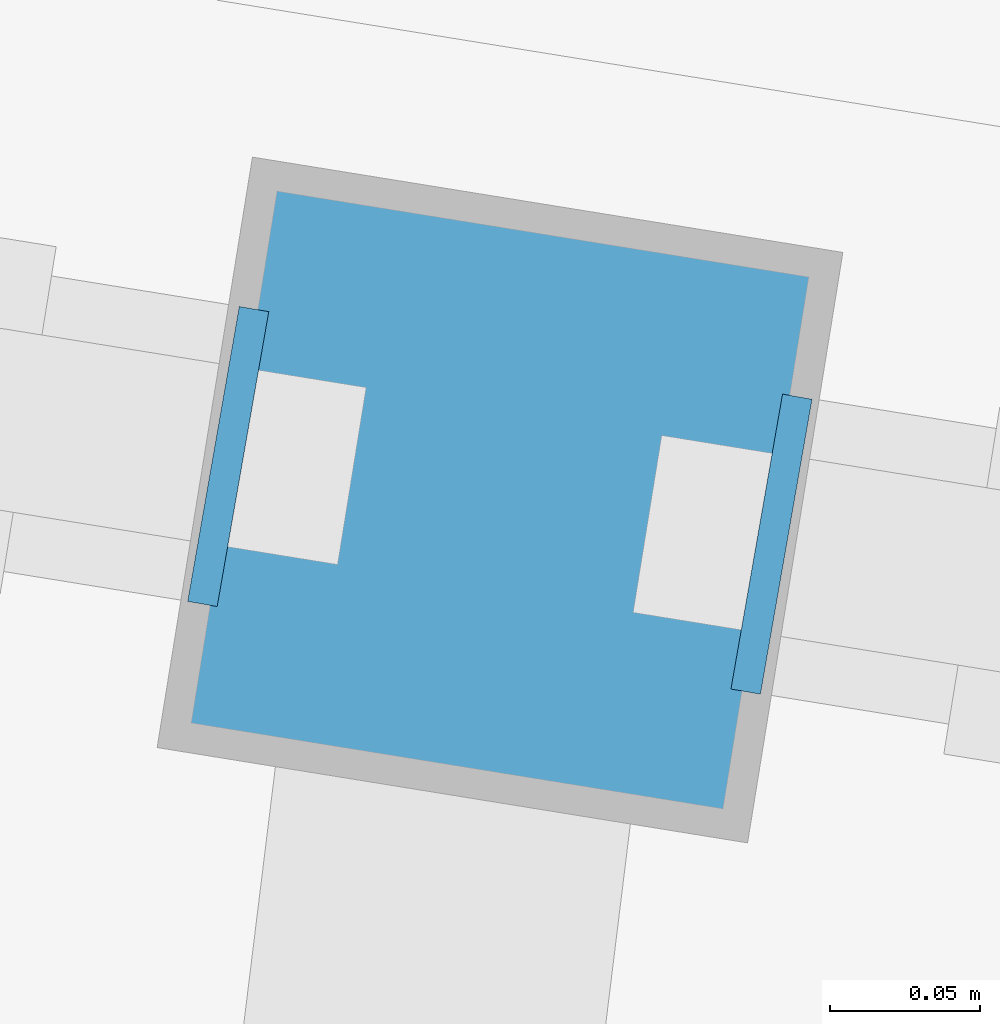
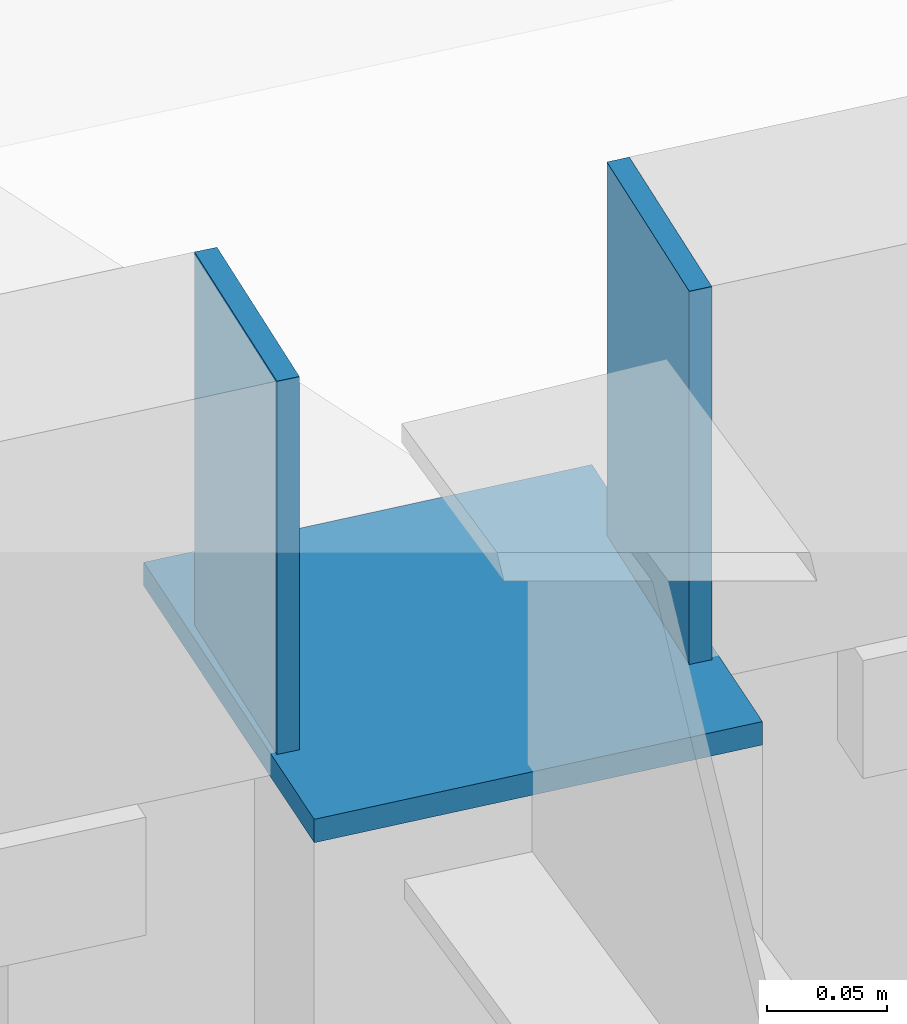
# One storey, part 203 of 226: 3 discrete accessories.
"""IFC4 building model written with IfcOpenShell, lengths in metres."""

from ifc_helpers import new_model, si_unit, direction, frame, origin, origin_2d, place, context, subcontext, project, spatial, rectangle, extrude, material, material_profile, profile_set, type_object, element, save


model = new_model("IFC4")

# Units and contexts
model_context = context("Model", 3, precision=1e-05, world=origin(), true_north=direction((0.0, 1.0)))
body_context = subcontext(model_context, "Body", "Model", "MODEL_VIEW")
ifc_project = project(units=[si_unit("LENGTHUNIT", "METRE"), si_unit("AREAUNIT", "SQUARE_METRE"), si_unit("VOLUMEUNIT", "CUBIC_METRE"), si_unit("PLANEANGLEUNIT", "RADIAN"), si_unit("MASSUNIT", "GRAM", prefix="KILO")], contexts=[model_context])

# Site, building, storey
site_placement = place(None, origin())
site = spatial("IfcSite", under=ifc_project, at=site_placement, CompositionType="ELEMENT")
building_placement = place(site_placement, origin())
building = spatial("IfcBuilding", under=site, at=building_placement, Name="Ceibo Conservatory and Research Tower", CompositionType="ELEMENT")
storey_placement = place(building_placement, origin())
storey = spatial("IfcBuildingStorey", under=building, at=storey_placement, Name="L00", CompositionType="ELEMENT", Elevation=0.0)

# Discrete accessories
ifc_material = material(Name="Steel S355J2", Category="steel")
ifc_material_profile_1 = material_profile(ifc_material, rectangle(XDim=0.10009765625, YDim=0.199951171875, at=origin_2d()), Name="End plate PL 200x100x8")
ifc_profile_set_1 = profile_set([ifc_material_profile_1], Name="Steel S355J2")
discrete_accessory_type_1 = type_object("IfcDiscreteAccessoryType", Name="End plate PL 200x100x8", PredefinedType="USERDEFINED", material=ifc_profile_set_1)
for number, where, z_axis, x_axis, name in (
    (1, (87.30322265625, 115.241943359375, 3.89990234375), (-0.985030467156, 0.172380331752, 0.0), (-0.172380331752, -0.985030467156, 0.0), "Gallery edge beam A-RT-EBS06 end plate"),
    (2, (87.12158203125, 115.271240234375, 3.89990234375), (-0.985030467156, 0.172380331752, 0.0), (-0.172380331752, -0.985030467156, 0.0), "Gallery edge beam A-RT-EBS07 end plate"),
):
    element("IfcDiscreteAccessory", number, at=place(storey_placement, frame(where, z_axis=z_axis, x_axis=x_axis)), inside=storey, type_object=discrete_accessory_type_1, Name=name, ObjectType="End plate", PredefinedType="USERDEFINED", context=body_context, shape_type="SweptSolid", body=[
        extrude(rectangle(XDim=0.10009765625, YDim=0.199951171875, at=origin_2d()), origin(), (0.0, 0.0, 1.0), 0.010009765625),
    ])
ifc_material_profile_2 = material_profile(ifc_material, rectangle(XDim=0.199951171875, YDim=0.199951171875, at=origin_2d()), Name="End plate PL 200x200x10")
ifc_profile_set_2 = profile_set([ifc_material_profile_2], Name="Steel S355J2")
discrete_accessory_type_2 = type_object("IfcDiscreteAccessoryType", Name="End plate PL 200x200x10", PredefinedType="USERDEFINED", material=ifc_profile_set_2)
discrete_accessory_placement = place(storey_placement, frame((87.20751953125, 115.257568359375, 3.798095703125), z_axis=(0.0, 0.0, 1.0), x_axis=(-0.987215515464, 0.159391110254, 0.0)))
element("IfcDiscreteAccessory", 3, at=discrete_accessory_placement, inside=storey, type_object=discrete_accessory_type_2, Name="Gallery column A-RT-CS06 end plate", ObjectType="End plate", PredefinedType="USERDEFINED", context=body_context, shape_type="SweptSolid", body=[
    extrude(rectangle(XDim=0.199951171875, YDim=0.199951171875, at=origin_2d()), origin(), (0.0, 0.0, 1.0), 0.011962890625),
])

save(model, "model.ifc")
